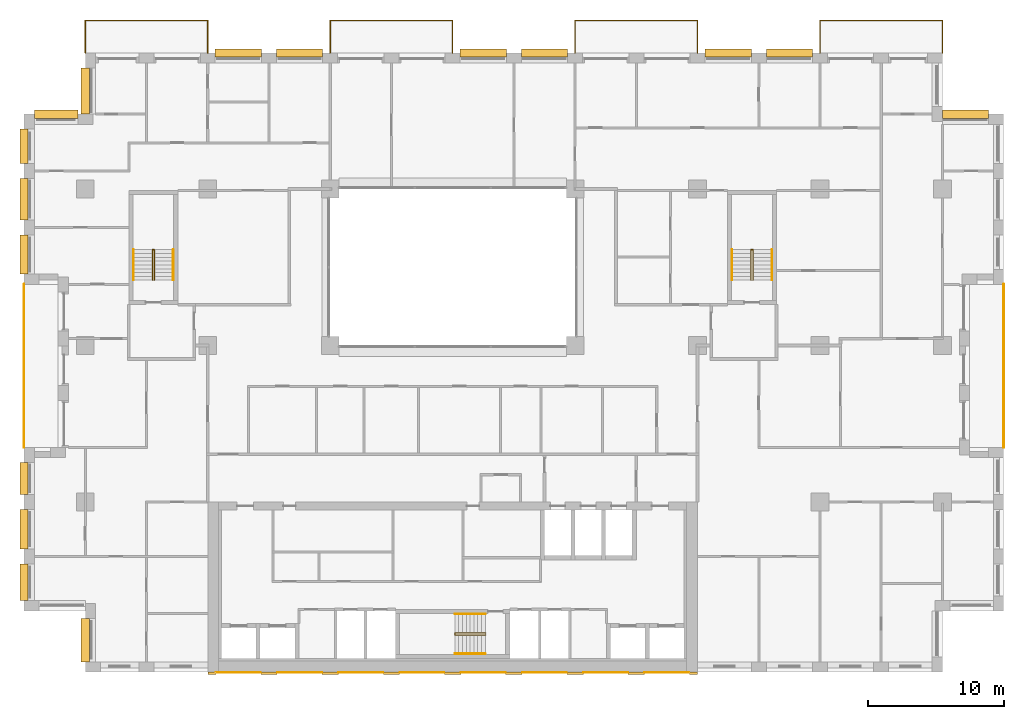
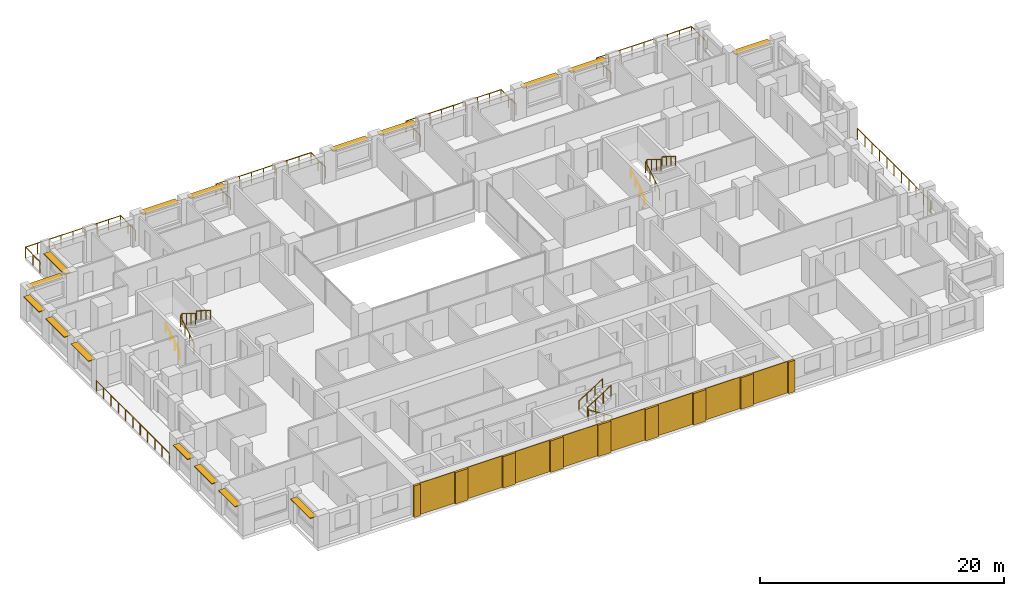
# One storey, part 16 of 16: 17 coverings, 16 shading devices, 15 railings.
"""IFC4 building model written with IfcOpenShell, lengths in metres."""

from ifc_helpers import new_model, si_unit, direction, frame, origin, origin_2d, place, context, subcontext, project, spatial, rectangle, circle, extrude, material, layer, layer_set, type_object, element, save


model = new_model("IFC4")

# Units and contexts
model_context = context("Model", 3, precision=1e-05, world=origin(), true_north=direction((0.0, 1.0)))
body_context = subcontext(model_context, "Body", "Model", "MODEL_VIEW")
ifc_project = project(units=[si_unit("LENGTHUNIT", "METRE"), si_unit("AREAUNIT", "SQUARE_METRE"), si_unit("VOLUMEUNIT", "CUBIC_METRE"), si_unit("PLANEANGLEUNIT", "RADIAN"), si_unit("MASSUNIT", "GRAM", prefix="KILO")], contexts=[model_context])

# Site, building, storey
site_placement = place(None, origin())
site = spatial("IfcSite", under=ifc_project, at=site_placement, CompositionType="ELEMENT")
building_placement = place(site_placement, origin())
building = spatial("IfcBuilding", under=site, at=building_placement, Name="Brigalow Station Residences", CompositionType="ELEMENT")
storey_placement = place(building_placement, frame((0.0, 0.0, 93.0)))
storey = spatial("IfcBuildingStorey", under=building, at=storey_placement, Name="L26", CompositionType="ELEMENT", Elevation=93.0)

# Railings
ifc_material_1 = material(Name="Stainless steel balustrade with laminated glass infill", Category="steel")
railing_type_1 = type_object("IfcRailingType", Name="BALCONY GUARD 1100", PredefinedType="GUARDRAIL", material=ifc_material_1)
railing_1_placement = place(storey_placement, frame((76.5, 16.5, -0.0400390625)))
element("IfcRailing", 1, at=railing_1_placement, inside=storey, type_object=railing_type_1, Name="L26/balcony-guard/1", PredefinedType="GUARDRAIL", context=body_context, shape_type="SweptSolid", body=[
    extrude(circle(Radius=0.02392578125, at=origin_2d()), frame((0.0, 0.0, 1.076171875), z_axis=(0.0, 1.0, 0.0), x_axis=(-1.0, 0.0, 0.0)), (0.0, 0.0, 1.0), 12.0),
    extrude(circle(Radius=0.02099609375, at=origin_2d()), origin(), (0.0, 0.0, 1.0), 1.052001953125),
    extrude(circle(Radius=0.02099609375, at=origin_2d()), frame((0.0, 1.199951171875, 0.0)), (0.0, 0.0, 1.0), 1.052001953125),
    extrude(circle(Radius=0.02099609375, at=origin_2d()), frame((0.0, 2.39990234375, 0.0)), (0.0, 0.0, 1.0), 1.052001953125),
    extrude(circle(Radius=0.02099609375, at=origin_2d()), frame((0.0, 3.60009765625, 0.0)), (0.0, 0.0, 1.0), 1.052001953125),
    extrude(circle(Radius=0.02099609375, at=origin_2d()), frame((0.0, 4.800048828125, 0.0)), (0.0, 0.0, 1.0), 1.052001953125),
    extrude(circle(Radius=0.02099609375, at=origin_2d()), frame((0.0, 6.0, 0.0)), (0.0, 0.0, 1.0), 1.052001953125),
    extrude(circle(Radius=0.02099609375, at=origin_2d()), frame((0.0, 7.199951171875, 0.0)), (0.0, 0.0, 1.0), 1.052001953125),
    extrude(circle(Radius=0.02099609375, at=origin_2d()), frame((0.0, 8.39990234375, 0.0)), (0.0, 0.0, 1.0), 1.052001953125),
    extrude(circle(Radius=0.02099609375, at=origin_2d()), frame((0.0, 9.60009765625, 0.0)), (0.0, 0.0, 1.0), 1.052001953125),
    extrude(circle(Radius=0.02099609375, at=origin_2d()), frame((0.0, 10.800048828125, 0.0)), (0.0, 0.0, 1.0), 1.052001953125),
    extrude(circle(Radius=0.02099609375, at=origin_2d()), frame((0.0, 12.0, 0.0)), (0.0, 0.0, 1.0), 1.052001953125),
])
railing_2_placement = place(storey_placement, frame((72.0, 45.5, -0.0400390625)))
element("IfcRailing", 2, at=railing_2_placement, inside=storey, type_object=railing_type_1, Name="L26/balcony-guard/2", PredefinedType="GUARDRAIL", context=body_context, shape_type="SweptSolid", body=[
    extrude(circle(Radius=0.02392578125, at=origin_2d()), frame((0.0, 0.0, 1.076171875), z_axis=(0.0, 1.0, 0.0), x_axis=(-1.0, 0.0, 0.0)), (0.0, 0.0, 1.0), 2.39990234375),
    extrude(circle(Radius=0.02392578125, at=origin_2d()), frame((0.0, 2.39990234375, 1.076171875), z_axis=(-1.0, 0.0, 0.0), x_axis=(0.0, -1.0, 0.0)), (0.0, 0.0, 1.0), 9.0),
    extrude(circle(Radius=0.02392578125, at=origin_2d()), frame((-9.0, 2.39990234375, 1.076171875), z_axis=(0.0, -1.0, 0.0), x_axis=(1.0, 0.0, 0.0)), (0.0, 0.0, 1.0), 2.39990234375),
    extrude(circle(Radius=0.02099609375, at=origin_2d()), origin(), (0.0, 0.0, 1.0), 1.052001953125),
    extrude(circle(Radius=0.02099609375, at=origin_2d()), frame((0.0, 1.199951171875, 0.0)), (0.0, 0.0, 1.0), 1.052001953125),
    extrude(circle(Radius=0.02099609375, at=origin_2d()), frame((0.0, 2.39990234375, 0.0)), (0.0, 0.0, 1.0), 1.052001953125),
    extrude(circle(Radius=0.02099609375, at=origin_2d()), frame((-1.125, 2.39990234375, 0.0)), (0.0, 0.0, 1.0), 1.052001953125),
    extrude(circle(Radius=0.02099609375, at=origin_2d()), frame((-2.25, 2.39990234375, 0.0)), (0.0, 0.0, 1.0), 1.052001953125),
    extrude(circle(Radius=0.02099609375, at=origin_2d()), frame((-3.375, 2.39990234375, 0.0)), (0.0, 0.0, 1.0), 1.052001953125),
    extrude(circle(Radius=0.02099609375, at=origin_2d()), frame((-4.5, 2.39990234375, 0.0)), (0.0, 0.0, 1.0), 1.052001953125),
    extrude(circle(Radius=0.02099609375, at=origin_2d()), frame((-5.625, 2.39990234375, 0.0)), (0.0, 0.0, 1.0), 1.052001953125),
    extrude(circle(Radius=0.02099609375, at=origin_2d()), frame((-6.75, 2.39990234375, 0.0)), (0.0, 0.0, 1.0), 1.052001953125),
    extrude(circle(Radius=0.02099609375, at=origin_2d()), frame((-7.875, 2.39990234375, 0.0)), (0.0, 0.0, 1.0), 1.052001953125),
    extrude(circle(Radius=0.02099609375, at=origin_2d()), frame((-9.0, 2.39990234375, 0.0)), (0.0, 0.0, 1.0), 1.052001953125),
    extrude(circle(Radius=0.02099609375, at=origin_2d()), frame((-9.0, 1.199951171875, 0.0)), (0.0, 0.0, 1.0), 1.052001953125),
    extrude(circle(Radius=0.02099609375, at=origin_2d()), frame((-9.0, 0.0, 0.0)), (0.0, 0.0, 1.0), 1.052001953125),
])
railing_3_placement = place(storey_placement, frame((54.0, 45.5, -0.0400390625)))
element("IfcRailing", 3, at=railing_3_placement, inside=storey, type_object=railing_type_1, Name="L26/balcony-guard/3", PredefinedType="GUARDRAIL", context=body_context, shape_type="SweptSolid", body=[
    extrude(circle(Radius=0.02392578125, at=origin_2d()), frame((0.0, 0.0, 1.076171875), z_axis=(0.0, 1.0, 0.0), x_axis=(-1.0, 0.0, 0.0)), (0.0, 0.0, 1.0), 2.39990234375),
    extrude(circle(Radius=0.02392578125, at=origin_2d()), frame((0.0, 2.39990234375, 1.076171875), z_axis=(-1.0, 0.0, 0.0), x_axis=(0.0, -1.0, 0.0)), (0.0, 0.0, 1.0), 9.0),
    extrude(circle(Radius=0.02392578125, at=origin_2d()), frame((-9.0, 2.39990234375, 1.076171875), z_axis=(0.0, -1.0, 0.0), x_axis=(1.0, 0.0, 0.0)), (0.0, 0.0, 1.0), 2.39990234375),
    extrude(circle(Radius=0.02099609375, at=origin_2d()), origin(), (0.0, 0.0, 1.0), 1.052001953125),
    extrude(circle(Radius=0.02099609375, at=origin_2d()), frame((0.0, 1.199951171875, 0.0)), (0.0, 0.0, 1.0), 1.052001953125),
    extrude(circle(Radius=0.02099609375, at=origin_2d()), frame((0.0, 2.39990234375, 0.0)), (0.0, 0.0, 1.0), 1.052001953125),
    extrude(circle(Radius=0.02099609375, at=origin_2d()), frame((-1.125, 2.39990234375, 0.0)), (0.0, 0.0, 1.0), 1.052001953125),
    extrude(circle(Radius=0.02099609375, at=origin_2d()), frame((-2.25, 2.39990234375, 0.0)), (0.0, 0.0, 1.0), 1.052001953125),
    extrude(circle(Radius=0.02099609375, at=origin_2d()), frame((-3.375, 2.39990234375, 0.0)), (0.0, 0.0, 1.0), 1.052001953125),
    extrude(circle(Radius=0.02099609375, at=origin_2d()), frame((-4.5, 2.39990234375, 0.0)), (0.0, 0.0, 1.0), 1.052001953125),
    extrude(circle(Radius=0.02099609375, at=origin_2d()), frame((-5.625, 2.39990234375, 0.0)), (0.0, 0.0, 1.0), 1.052001953125),
    extrude(circle(Radius=0.02099609375, at=origin_2d()), frame((-6.75, 2.39990234375, 0.0)), (0.0, 0.0, 1.0), 1.052001953125),
    extrude(circle(Radius=0.02099609375, at=origin_2d()), frame((-7.875, 2.39990234375, 0.0)), (0.0, 0.0, 1.0), 1.052001953125),
    extrude(circle(Radius=0.02099609375, at=origin_2d()), frame((-9.0, 2.39990234375, 0.0)), (0.0, 0.0, 1.0), 1.052001953125),
    extrude(circle(Radius=0.02099609375, at=origin_2d()), frame((-9.0, 1.199951171875, 0.0)), (0.0, 0.0, 1.0), 1.052001953125),
    extrude(circle(Radius=0.02099609375, at=origin_2d()), frame((-9.0, 0.0, 0.0)), (0.0, 0.0, 1.0), 1.052001953125),
])
railing_4_placement = place(storey_placement, frame((36.0, 45.5, -0.0400390625)))
element("IfcRailing", 4, at=railing_4_placement, inside=storey, type_object=railing_type_1, Name="L26/balcony-guard/4", PredefinedType="GUARDRAIL", context=body_context, shape_type="SweptSolid", body=[
    extrude(circle(Radius=0.02392578125, at=origin_2d()), frame((0.0, 0.0, 1.076171875), z_axis=(0.0, 1.0, 0.0), x_axis=(-1.0, 0.0, 0.0)), (0.0, 0.0, 1.0), 2.39990234375),
    extrude(circle(Radius=0.02392578125, at=origin_2d()), frame((0.0, 2.39990234375, 1.076171875), z_axis=(-1.0, 0.0, 0.0), x_axis=(0.0, -1.0, 0.0)), (0.0, 0.0, 1.0), 9.0),
    extrude(circle(Radius=0.02392578125, at=origin_2d()), frame((-9.0, 2.39990234375, 1.076171875), z_axis=(0.0, -1.0, 0.0), x_axis=(1.0, 0.0, 0.0)), (0.0, 0.0, 1.0), 2.39990234375),
    extrude(circle(Radius=0.02099609375, at=origin_2d()), origin(), (0.0, 0.0, 1.0), 1.052001953125),
    extrude(circle(Radius=0.02099609375, at=origin_2d()), frame((0.0, 1.199951171875, 0.0)), (0.0, 0.0, 1.0), 1.052001953125),
    extrude(circle(Radius=0.02099609375, at=origin_2d()), frame((0.0, 2.39990234375, 0.0)), (0.0, 0.0, 1.0), 1.052001953125),
    extrude(circle(Radius=0.02099609375, at=origin_2d()), frame((-1.125, 2.39990234375, 0.0)), (0.0, 0.0, 1.0), 1.052001953125),
    extrude(circle(Radius=0.02099609375, at=origin_2d()), frame((-2.25, 2.39990234375, 0.0)), (0.0, 0.0, 1.0), 1.052001953125),
    extrude(circle(Radius=0.02099609375, at=origin_2d()), frame((-3.375, 2.39990234375, 0.0)), (0.0, 0.0, 1.0), 1.052001953125),
    extrude(circle(Radius=0.02099609375, at=origin_2d()), frame((-4.5, 2.39990234375, 0.0)), (0.0, 0.0, 1.0), 1.052001953125),
    extrude(circle(Radius=0.02099609375, at=origin_2d()), frame((-5.625, 2.39990234375, 0.0)), (0.0, 0.0, 1.0), 1.052001953125),
    extrude(circle(Radius=0.02099609375, at=origin_2d()), frame((-6.75, 2.39990234375, 0.0)), (0.0, 0.0, 1.0), 1.052001953125),
    extrude(circle(Radius=0.02099609375, at=origin_2d()), frame((-7.875, 2.39990234375, 0.0)), (0.0, 0.0, 1.0), 1.052001953125),
    extrude(circle(Radius=0.02099609375, at=origin_2d()), frame((-9.0, 2.39990234375, 0.0)), (0.0, 0.0, 1.0), 1.052001953125),
    extrude(circle(Radius=0.02099609375, at=origin_2d()), frame((-9.0, 1.199951171875, 0.0)), (0.0, 0.0, 1.0), 1.052001953125),
    extrude(circle(Radius=0.02099609375, at=origin_2d()), frame((-9.0, 0.0, 0.0)), (0.0, 0.0, 1.0), 1.052001953125),
])
railing_5_placement = place(storey_placement, frame((18.0, 45.5, -0.0400390625)))
element("IfcRailing", 5, at=railing_5_placement, inside=storey, type_object=railing_type_1, Name="L26/balcony-guard/5", PredefinedType="GUARDRAIL", context=body_context, shape_type="SweptSolid", body=[
    extrude(circle(Radius=0.02392578125, at=origin_2d()), frame((0.0, 0.0, 1.076171875), z_axis=(0.0, 1.0, 0.0), x_axis=(-1.0, 0.0, 0.0)), (0.0, 0.0, 1.0), 2.39990234375),
    extrude(circle(Radius=0.02392578125, at=origin_2d()), frame((0.0, 2.39990234375, 1.076171875), z_axis=(-1.0, 0.0, 0.0), x_axis=(0.0, -1.0, 0.0)), (0.0, 0.0, 1.0), 9.0),
    extrude(circle(Radius=0.02392578125, at=origin_2d()), frame((-9.0, 2.39990234375, 1.076171875), z_axis=(0.0, -1.0, 0.0), x_axis=(1.0, 0.0, 0.0)), (0.0, 0.0, 1.0), 2.39990234375),
    extrude(circle(Radius=0.02099609375, at=origin_2d()), origin(), (0.0, 0.0, 1.0), 1.052001953125),
    extrude(circle(Radius=0.02099609375, at=origin_2d()), frame((0.0, 1.199951171875, 0.0)), (0.0, 0.0, 1.0), 1.052001953125),
    extrude(circle(Radius=0.02099609375, at=origin_2d()), frame((0.0, 2.39990234375, 0.0)), (0.0, 0.0, 1.0), 1.052001953125),
    extrude(circle(Radius=0.02099609375, at=origin_2d()), frame((-1.125, 2.39990234375, 0.0)), (0.0, 0.0, 1.0), 1.052001953125),
    extrude(circle(Radius=0.02099609375, at=origin_2d()), frame((-2.25, 2.39990234375, 0.0)), (0.0, 0.0, 1.0), 1.052001953125),
    extrude(circle(Radius=0.02099609375, at=origin_2d()), frame((-3.375, 2.39990234375, 0.0)), (0.0, 0.0, 1.0), 1.052001953125),
    extrude(circle(Radius=0.02099609375, at=origin_2d()), frame((-4.5, 2.39990234375, 0.0)), (0.0, 0.0, 1.0), 1.052001953125),
    extrude(circle(Radius=0.02099609375, at=origin_2d()), frame((-5.625, 2.39990234375, 0.0)), (0.0, 0.0, 1.0), 1.052001953125),
    extrude(circle(Radius=0.02099609375, at=origin_2d()), frame((-6.75, 2.39990234375, 0.0)), (0.0, 0.0, 1.0), 1.052001953125),
    extrude(circle(Radius=0.02099609375, at=origin_2d()), frame((-7.875, 2.39990234375, 0.0)), (0.0, 0.0, 1.0), 1.052001953125),
    extrude(circle(Radius=0.02099609375, at=origin_2d()), frame((-9.0, 2.39990234375, 0.0)), (0.0, 0.0, 1.0), 1.052001953125),
    extrude(circle(Radius=0.02099609375, at=origin_2d()), frame((-9.0, 1.199951171875, 0.0)), (0.0, 0.0, 1.0), 1.052001953125),
    extrude(circle(Radius=0.02099609375, at=origin_2d()), frame((-9.0, 0.0, 0.0)), (0.0, 0.0, 1.0), 1.052001953125),
])
railing_6_placement = place(storey_placement, frame((4.5, 28.5, -0.0400390625)))
element("IfcRailing", 6, at=railing_6_placement, inside=storey, type_object=railing_type_1, Name="L26/balcony-guard/6", PredefinedType="GUARDRAIL", context=body_context, shape_type="SweptSolid", body=[
    extrude(circle(Radius=0.02392578125, at=origin_2d()), frame((0.0, 0.0, 1.076171875), z_axis=(0.0, -1.0, 0.0), x_axis=(1.0, 0.0, 0.0)), (0.0, 0.0, 1.0), 12.0),
    extrude(circle(Radius=0.02099609375, at=origin_2d()), origin(), (0.0, 0.0, 1.0), 1.052001953125),
    extrude(circle(Radius=0.02099609375, at=origin_2d()), frame((0.0, -1.199951171875, 0.0)), (0.0, 0.0, 1.0), 1.052001953125),
    extrude(circle(Radius=0.02099609375, at=origin_2d()), frame((0.0, -2.39990234375, 0.0)), (0.0, 0.0, 1.0), 1.052001953125),
    extrude(circle(Radius=0.02099609375, at=origin_2d()), frame((0.0, -3.60009765625, 0.0)), (0.0, 0.0, 1.0), 1.052001953125),
    extrude(circle(Radius=0.02099609375, at=origin_2d()), frame((0.0, -4.800048828125, 0.0)), (0.0, 0.0, 1.0), 1.052001953125),
    extrude(circle(Radius=0.02099609375, at=origin_2d()), frame((0.0, -6.0, 0.0)), (0.0, 0.0, 1.0), 1.052001953125),
    extrude(circle(Radius=0.02099609375, at=origin_2d()), frame((0.0, -7.199951171875, 0.0)), (0.0, 0.0, 1.0), 1.052001953125),
    extrude(circle(Radius=0.02099609375, at=origin_2d()), frame((0.0, -8.39990234375, 0.0)), (0.0, 0.0, 1.0), 1.052001953125),
    extrude(circle(Radius=0.02099609375, at=origin_2d()), frame((0.0, -9.60009765625, 0.0)), (0.0, 0.0, 1.0), 1.052001953125),
    extrude(circle(Radius=0.02099609375, at=origin_2d()), frame((0.0, -10.800048828125, 0.0)), (0.0, 0.0, 1.0), 1.052001953125),
    extrude(circle(Radius=0.02099609375, at=origin_2d()), frame((0.0, -12.0, 0.0)), (0.0, 0.0, 1.0), 1.052001953125),
])

# Coverings
ifc_material_2 = material(Name="Clay brick masonry", Category="masonry")
ifc_layer_1 = layer(ifc_material_2, 0.06005859375)
ifc_layer_set_1 = layer_set([ifc_layer_1], Name="BRICK PANEL FACING 60")
covering_type_1 = type_object("IfcCoveringType", Name="BRICK PANEL FACING 60", PredefinedType="CLADDING", material=ifc_layer_set_1)
for number, where, z_axis, x_axis, name in (
    (7, (20.25, -0.030029296875, 0.0), (0.0, 0.0, 1.0), (1.0, 0.0, 0.0), "L26/rear-facing/panel-1"),
    (8, (24.75, -0.030029296875, 0.0), (0.0, 0.0, 1.0), (1.0, 0.0, 0.0), "L26/rear-facing/panel-2"),
    (9, (29.25, -0.030029296875, 0.0), (0.0, 0.0, 1.0), (1.0, 0.0, 0.0), "L26/rear-facing/panel-3"),
    (10, (33.75, -0.030029296875, 0.0), (0.0, 0.0, 1.0), (1.0, 0.0, 0.0), "L26/rear-facing/panel-4"),
    (11, (38.25, -0.030029296875, 0.0), (0.0, 0.0, 1.0), (1.0, 0.0, 0.0), "L26/rear-facing/panel-5"),
    (12, (42.75, -0.030029296875, 0.0), (0.0, 0.0, 1.0), (1.0, 0.0, 0.0), "L26/rear-facing/panel-6"),
    (13, (47.25, -0.030029296875, 0.0), (0.0, 0.0, 1.0), (1.0, 0.0, 0.0), "L26/rear-facing/panel-7"),
    (14, (51.75, -0.030029296875, 0.0), (0.0, 0.0, 1.0), (1.0, 0.0, 0.0), "L26/rear-facing/panel-8"),
):
    element("IfcCovering", number, at=place(storey_placement, frame(where, z_axis=z_axis, x_axis=x_axis)), inside=storey, type_object=covering_type_1, Name=name, PredefinedType="CLADDING", context=body_context, shape_type="SweptSolid", body=[
        extrude(rectangle(XDim=3.300048828125, YDim=0.06005859375, at=origin_2d()), origin(), (0.0, 0.0, 1.0), 3.14990234375),
    ])
ifc_material_3 = material(Name="Clay brick masonry", Category="masonry")
ifc_layer_2 = layer(ifc_material_3, 0.199951171875)
ifc_layer_set_2 = layer_set([ifc_layer_2], Name="BRICK PIER FACING 200")
covering_type_2 = type_object("IfcCoveringType", Name="BRICK PIER FACING 200", PredefinedType="CLADDING", material=ifc_layer_set_2)
covering_1_placement = place(storey_placement, frame((18.300048828125, -0.10009765625, 0.0), z_axis=(0.0, 0.0, 1.0), x_axis=(1.0, 0.0, 0.0)))
element("IfcCovering", 15, at=covering_1_placement, inside=storey, type_object=covering_type_2, Name="L26/rear-facing/pier-1", PredefinedType="CLADDING", context=body_context, shape_type="SweptSolid", body=[
    extrude(rectangle(XDim=0.60009765625, YDim=0.199951171875, at=origin_2d()), origin(), (0.0, 0.0, 1.0), 3.14990234375),
])
for number, where, z_axis, x_axis, name in (
    (16, (22.5, -0.10009765625, 0.0), (0.0, 0.0, 1.0), (1.0, 0.0, 0.0), "L26/rear-facing/pier-2"),
    (17, (27.0, -0.10009765625, 0.0), (0.0, 0.0, 1.0), (1.0, 0.0, 0.0), "L26/rear-facing/pier-3"),
    (18, (31.5, -0.10009765625, 0.0), (0.0, 0.0, 1.0), (1.0, 0.0, 0.0), "L26/rear-facing/pier-4"),
    (19, (36.0, -0.10009765625, 0.0), (0.0, 0.0, 1.0), (1.0, 0.0, 0.0), "L26/rear-facing/pier-5"),
    (20, (40.5, -0.10009765625, 0.0), (0.0, 0.0, 1.0), (1.0, 0.0, 0.0), "L26/rear-facing/pier-6"),
    (21, (45.0, -0.10009765625, 0.0), (0.0, 0.0, 1.0), (1.0, 0.0, 0.0), "L26/rear-facing/pier-7"),
    (22, (49.5, -0.10009765625, 0.0), (0.0, 0.0, 1.0), (1.0, 0.0, 0.0), "L26/rear-facing/pier-8"),
):
    element("IfcCovering", number, at=place(storey_placement, frame(where, z_axis=z_axis, x_axis=x_axis)), inside=storey, type_object=covering_type_2, Name=name, PredefinedType="CLADDING", context=body_context, shape_type="SweptSolid", body=[
        extrude(rectangle(XDim=1.199951171875, YDim=0.199951171875, at=origin_2d()), origin(), (0.0, 0.0, 1.0), 3.14990234375),
    ])
covering_2_placement = place(storey_placement, frame((53.699951171875, -0.10009765625, 0.0), z_axis=(0.0, 0.0, 1.0), x_axis=(1.0, 0.0, 0.0)))
element("IfcCovering", 23, at=covering_2_placement, inside=storey, type_object=covering_type_2, Name="L26/rear-facing/pier-9", PredefinedType="CLADDING", context=body_context, shape_type="SweptSolid", body=[
    extrude(rectangle(XDim=0.60009765625, YDim=0.199951171875, at=origin_2d()), origin(), (0.0, 0.0, 1.0), 3.14990234375),
])

# Railings
ifc_material_4 = material(Name="Stainless steel balustrade", Category="steel")
railing_type_2 = type_object("IfcRailingType", Name="STAIR GUARD 1100", PredefinedType="GUARDRAIL", material=ifc_material_4)
railing_7_placement = place(storey_placement, frame((38.39990234375, 2.72998046875, 0.175048828125)))
element("IfcRailing", 24, at=railing_7_placement, inside=storey, type_object=railing_type_2, Name="GUARD GR-2", PredefinedType="GUARDRAIL", context=body_context, shape_type="SweptSolid", body=[
    extrude(circle(Radius=0.02392578125, at=origin_2d()), frame((0.0, 0.0, 1.076171875), z_axis=(-0.848013881152, 0.0, 0.529974015752), x_axis=(0.0, -1.0, 0.0)), (0.0, 0.0, 1.0), 2.641357421875),
    extrude(circle(Radius=0.02392578125, at=origin_2d()), frame((-2.239990234375, 0.0, 2.47607421875), z_axis=(0.0, 0.624960567888, 0.780656319122), x_axis=(-1.0, 0.0, 0.0)), (0.0, 0.0, 1.0), 0.22412109375),
    extrude(circle(Radius=0.02392578125, at=origin_2d()), frame((-2.239990234375, 0.14013671875, 2.65087890625), z_axis=(0.848013881152, 0.0, 0.529974015752), x_axis=(0.0, 1.0, 0.0)), (0.0, 0.0, 1.0), 2.641357421875),
    extrude(circle(Radius=0.02099609375, at=origin_2d()), origin(), (0.0, 0.0, 1.0), 1.052001953125),
    extrude(circle(Radius=0.02099609375, at=origin_2d()), frame((-0.74658203125, 0.0, 0.466552734375)), (0.0, 0.0, 1.0), 1.052001953125),
    extrude(circle(Radius=0.02099609375, at=origin_2d()), frame((-1.493408203125, 0.0, 0.933349609375)), (0.0, 0.0, 1.0), 1.052001953125),
    extrude(circle(Radius=0.02099609375, at=origin_2d()), frame((-2.239990234375, 0.0, 1.39990234375)), (0.0, 0.0, 1.0), 1.052001953125),
    extrude(circle(Radius=0.02099609375, at=origin_2d()), frame((-2.239990234375, 0.14013671875, 1.574951171875)), (0.0, 0.0, 1.0), 1.052001953125),
    extrude(circle(Radius=0.02099609375, at=origin_2d()), frame((-1.493408203125, 0.14013671875, 2.04150390625)), (0.0, 0.0, 1.0), 1.052001953125),
    extrude(circle(Radius=0.02099609375, at=origin_2d()), frame((-0.74658203125, 0.14013671875, 2.50830078125)), (0.0, 0.0, 1.0), 1.052001953125),
    extrude(circle(Radius=0.02099609375, at=origin_2d()), frame((0.0, 0.14013671875, 2.974853515625)), (0.0, 0.0, 1.0), 1.052001953125),
])
for number, where, name in (
    (25, (13.929931640625, 28.800048828125, 0.175048828125), "GUARD GR-1"),
    (26, (57.929931640625, 28.800048828125, 0.175048828125), "GUARD GR-3"),
):
    element("IfcRailing", number, at=place(storey_placement, frame(where)), inside=storey, type_object=railing_type_2, Name=name, PredefinedType="GUARDRAIL", context=body_context, shape_type="SweptSolid", body=[
        extrude(circle(Radius=0.02392578125, at=origin_2d()), frame((0.0, 0.0, 1.076171875), z_axis=(0.0, 0.848013881152, 0.529974015752), x_axis=(-1.0, 0.0, 0.0)), (0.0, 0.0, 1.0), 2.641357421875),
        extrude(circle(Radius=0.02392578125, at=origin_2d()), frame((0.0, 2.239990234375, 2.47607421875), z_axis=(0.624960567888, 0.0, 0.780656319122), x_axis=(0.0, 1.0, 0.0)), (0.0, 0.0, 1.0), 0.22412109375),
        extrude(circle(Radius=0.02392578125, at=origin_2d()), frame((0.14013671875, 2.239990234375, 2.65087890625), z_axis=(0.0, -0.848013881152, 0.529974015752), x_axis=(1.0, 0.0, 0.0)), (0.0, 0.0, 1.0), 2.641357421875),
        extrude(circle(Radius=0.02099609375, at=origin_2d()), origin(), (0.0, 0.0, 1.0), 1.052001953125),
        extrude(circle(Radius=0.02099609375, at=origin_2d()), frame((0.0, 0.74658203125, 0.466552734375)), (0.0, 0.0, 1.0), 1.052001953125),
        extrude(circle(Radius=0.02099609375, at=origin_2d()), frame((0.0, 1.493408203125, 0.933349609375)), (0.0, 0.0, 1.0), 1.052001953125),
        extrude(circle(Radius=0.02099609375, at=origin_2d()), frame((0.0, 2.239990234375, 1.39990234375)), (0.0, 0.0, 1.0), 1.052001953125),
        extrude(circle(Radius=0.02099609375, at=origin_2d()), frame((0.14013671875, 2.239990234375, 1.574951171875)), (0.0, 0.0, 1.0), 1.052001953125),
        extrude(circle(Radius=0.02099609375, at=origin_2d()), frame((0.14013671875, 1.493408203125, 2.04150390625)), (0.0, 0.0, 1.0), 1.052001953125),
        extrude(circle(Radius=0.02099609375, at=origin_2d()), frame((0.14013671875, 0.74658203125, 2.50830078125)), (0.0, 0.0, 1.0), 1.052001953125),
        extrude(circle(Radius=0.02099609375, at=origin_2d()), frame((0.14013671875, 0.0, 2.974853515625)), (0.0, 0.0, 1.0), 1.052001953125),
    ])
ifc_material_5 = material(Name="Stainless steel handrail", Category="steel")
railing_type_3 = type_object("IfcRailingType", Name="STAIR HANDRAIL 900", PredefinedType="HANDRAIL", material=ifc_material_5)
railing_8_placement = place(storey_placement, frame((38.39990234375, 1.340087890625, 0.175048828125)))
element("IfcRailing", 27, at=railing_8_placement, inside=storey, type_object=railing_type_3, Name="HANDRAIL HR-21", PredefinedType="HANDRAIL", context=body_context, shape_type="SweptSolid", body=[
    extrude(circle(Radius=0.02392578125, at=origin_2d()), frame((0.0, 0.0, 0.8759765625), z_axis=(-0.848013881152, 0.0, 0.529974015752), x_axis=(0.0, -1.0, 0.0)), (0.0, 0.0, 1.0), 2.641357421875),
    extrude(circle(Radius=0.02099609375, at=origin_2d()), origin(), (0.0, 0.0, 1.0), 0.851806640625),
    extrude(circle(Radius=0.02099609375, at=origin_2d()), frame((-0.74658203125, 0.0, 0.466552734375)), (0.0, 0.0, 1.0), 0.851806640625),
    extrude(circle(Radius=0.02099609375, at=origin_2d()), frame((-1.493408203125, 0.0, 0.933349609375)), (0.0, 0.0, 1.0), 0.851806640625),
    extrude(circle(Radius=0.02099609375, at=origin_2d()), frame((-2.239990234375, 0.0, 1.39990234375)), (0.0, 0.0, 1.0), 0.851806640625),
])
railing_9_placement = place(storey_placement, frame((36.159912109375, 4.260009765625, 1.75)))
element("IfcRailing", 28, at=railing_9_placement, inside=storey, type_object=railing_type_3, Name="HANDRAIL HR-22", PredefinedType="HANDRAIL", context=body_context, shape_type="SweptSolid", body=[
    extrude(circle(Radius=0.02392578125, at=origin_2d()), frame((0.0, 0.0, 0.8759765625), z_axis=(0.848013881152, 0.0, 0.529974015752), x_axis=(0.0, 1.0, 0.0)), (0.0, 0.0, 1.0), 2.641357421875),
    extrude(circle(Radius=0.02099609375, at=origin_2d()), origin(), (0.0, 0.0, 1.0), 0.851806640625),
    extrude(circle(Radius=0.02099609375, at=origin_2d()), frame((0.74658203125, 0.0, 0.466552734375)), (0.0, 0.0, 1.0), 0.851806640625),
    extrude(circle(Radius=0.02099609375, at=origin_2d()), frame((1.493408203125, 0.0, 0.933349609375)), (0.0, 0.0, 1.0), 0.851806640625),
    extrude(circle(Radius=0.02099609375, at=origin_2d()), frame((2.239990234375, 0.0, 1.39990234375)), (0.0, 0.0, 1.0), 0.851806640625),
])
railing_10_placement = place(storey_placement, frame((12.5400390625, 28.800048828125, 0.175048828125)))
element("IfcRailing", 29, at=railing_10_placement, inside=storey, type_object=railing_type_3, Name="HANDRAIL HR-11", PredefinedType="HANDRAIL", context=body_context, shape_type="SweptSolid", body=[
    extrude(circle(Radius=0.02392578125, at=origin_2d()), frame((0.0, 0.0, 0.8759765625), z_axis=(0.0, 0.848013881152, 0.529974015752), x_axis=(-1.0, 0.0, 0.0)), (0.0, 0.0, 1.0), 2.641357421875),
    extrude(circle(Radius=0.02099609375, at=origin_2d()), origin(), (0.0, 0.0, 1.0), 0.851806640625),
    extrude(circle(Radius=0.02099609375, at=origin_2d()), frame((0.0, 0.74658203125, 0.466552734375)), (0.0, 0.0, 1.0), 0.851806640625),
    extrude(circle(Radius=0.02099609375, at=origin_2d()), frame((0.0, 1.493408203125, 0.933349609375)), (0.0, 0.0, 1.0), 0.851806640625),
    extrude(circle(Radius=0.02099609375, at=origin_2d()), frame((0.0, 2.239990234375, 1.39990234375)), (0.0, 0.0, 1.0), 0.851806640625),
])
railing_11_placement = place(storey_placement, frame((15.4599609375, 31.0400390625, 1.75)))
element("IfcRailing", 30, at=railing_11_placement, inside=storey, type_object=railing_type_3, Name="HANDRAIL HR-12", PredefinedType="HANDRAIL", context=body_context, shape_type="SweptSolid", body=[
    extrude(circle(Radius=0.02392578125, at=origin_2d()), frame((0.0, 0.0, 0.8759765625), z_axis=(0.0, -0.848013881152, 0.529974015752), x_axis=(1.0, 0.0, 0.0)), (0.0, 0.0, 1.0), 2.641357421875),
    extrude(circle(Radius=0.02099609375, at=origin_2d()), origin(), (0.0, 0.0, 1.0), 0.851806640625),
    extrude(circle(Radius=0.02099609375, at=origin_2d()), frame((0.0, -0.74658203125, 0.466552734375)), (0.0, 0.0, 1.0), 0.851806640625),
    extrude(circle(Radius=0.02099609375, at=origin_2d()), frame((0.0, -1.493408203125, 0.933349609375)), (0.0, 0.0, 1.0), 0.851806640625),
    extrude(circle(Radius=0.02099609375, at=origin_2d()), frame((0.0, -2.239990234375, 1.39990234375)), (0.0, 0.0, 1.0), 0.851806640625),
])
railing_12_placement = place(storey_placement, frame((56.5400390625, 28.800048828125, 0.175048828125)))
element("IfcRailing", 31, at=railing_12_placement, inside=storey, type_object=railing_type_3, Name="HANDRAIL HR-31", PredefinedType="HANDRAIL", context=body_context, shape_type="SweptSolid", body=[
    extrude(circle(Radius=0.02392578125, at=origin_2d()), frame((0.0, 0.0, 0.8759765625), z_axis=(0.0, 0.848013881152, 0.529974015752), x_axis=(-1.0, 0.0, 0.0)), (0.0, 0.0, 1.0), 2.641357421875),
    extrude(circle(Radius=0.02099609375, at=origin_2d()), origin(), (0.0, 0.0, 1.0), 0.851806640625),
    extrude(circle(Radius=0.02099609375, at=origin_2d()), frame((0.0, 0.74658203125, 0.466552734375)), (0.0, 0.0, 1.0), 0.851806640625),
    extrude(circle(Radius=0.02099609375, at=origin_2d()), frame((0.0, 1.493408203125, 0.933349609375)), (0.0, 0.0, 1.0), 0.851806640625),
    extrude(circle(Radius=0.02099609375, at=origin_2d()), frame((0.0, 2.239990234375, 1.39990234375)), (0.0, 0.0, 1.0), 0.851806640625),
])
railing_13_placement = place(storey_placement, frame((59.4599609375, 31.0400390625, 1.75)))
element("IfcRailing", 32, at=railing_13_placement, inside=storey, type_object=railing_type_3, Name="HANDRAIL HR-32", PredefinedType="HANDRAIL", context=body_context, shape_type="SweptSolid", body=[
    extrude(circle(Radius=0.02392578125, at=origin_2d()), frame((0.0, 0.0, 0.8759765625), z_axis=(0.0, -0.848013881152, 0.529974015752), x_axis=(1.0, 0.0, 0.0)), (0.0, 0.0, 1.0), 2.641357421875),
    extrude(circle(Radius=0.02099609375, at=origin_2d()), origin(), (0.0, 0.0, 1.0), 0.851806640625),
    extrude(circle(Radius=0.02099609375, at=origin_2d()), frame((0.0, -0.74658203125, 0.466552734375)), (0.0, 0.0, 1.0), 0.851806640625),
    extrude(circle(Radius=0.02099609375, at=origin_2d()), frame((0.0, -1.493408203125, 0.933349609375)), (0.0, 0.0, 1.0), 0.851806640625),
    extrude(circle(Radius=0.02099609375, at=origin_2d()), frame((0.0, -2.239990234375, 1.39990234375)), (0.0, 0.0, 1.0), 0.851806640625),
])

# Shading devices
ifc_material_6 = material(Name="Powder-coated extruded aluminium blade", Category="aluminium")
ifc_layer_3 = layer(ifc_material_6, 0.080078125)
ifc_layer_set_3 = layer_set([ifc_layer_3], Name="SUNSHADE BLADE 600x80")
shading_device_type = type_object("IfcShadingDeviceType", Name="SUNSHADE BLADE 600x80", PredefinedType="JALOUSIE", material=ifc_layer_set_3)
for number, where, z_axis, x_axis, name in (
    (33, (73.699951171875, 41.0, 2.550048828125), (0.0, 0.0, 1.0), (-1.0, 0.0, 0.0), "L26/blade/W-L26-21"),
    (34, (60.75, 45.5, 2.550048828125), (0.0, 0.0, 1.0), (-1.0, 0.0, 0.0), "L26/blade/W-L26-25"),
    (35, (56.25, 45.5, 2.550048828125), (0.0, 0.0, 1.0), (-1.0, 0.0, 0.0), "L26/blade/W-L26-26"),
    (36, (42.75, 45.5, 2.550048828125), (0.0, 0.0, 1.0), (-1.0, 0.0, 0.0), "L26/blade/W-L26-29"),
    (37, (38.25, 45.5, 2.550048828125), (0.0, 0.0, 1.0), (-1.0, 0.0, 0.0), "L26/blade/W-L26-30"),
    (38, (24.75, 45.5, 2.550048828125), (0.0, 0.0, 1.0), (-1.0, 0.0, 0.0), "L26/blade/W-L26-33"),
    (39, (20.25, 45.5, 2.550048828125), (0.0, 0.0, 1.0), (-1.0, 0.0, 0.0), "L26/blade/W-L26-34"),
    (40, (9.0, 42.699951171875, 2.550048828125), (0.0, 0.0, 1.0), (0.0, -1.0, 0.0), "L26/blade/W-L26-37"),
):
    element("IfcShadingDevice", number, at=place(storey_placement, frame(where, z_axis=z_axis, x_axis=x_axis)), inside=storey, type_object=shading_device_type, Name=name, PredefinedType="JALOUSIE", context=body_context, shape_type="SweptSolid", body=[
        extrude(rectangle(XDim=3.39990234375, YDim=0.60009765625, at=origin_2d()), origin(), (0.0, 0.0, 1.0), 0.080078125),
    ])
shading_device_1_placement = place(storey_placement, frame((6.85009765625, 41.0, 2.550048828125), z_axis=(0.0, 0.0, 1.0), x_axis=(-1.0, 0.0, 0.0)))
element("IfcShadingDevice", 41, at=shading_device_1_placement, inside=storey, type_object=shading_device_type, Name="L26/blade/W-L26-38", PredefinedType="JALOUSIE", context=body_context, shape_type="SweptSolid", body=[
    extrude(rectangle(XDim=3.199951171875, YDim=0.60009765625, at=origin_2d()), origin(), (0.0, 0.0, 1.0), 0.080078125),
])
shading_device_2_placement = place(storey_placement, frame((4.5, 38.6416015625, 2.550048828125), z_axis=(0.0, 0.0, 1.0), x_axis=(0.0, -1.0, 0.0)))
element("IfcShadingDevice", 42, at=shading_device_2_placement, inside=storey, type_object=shading_device_type, Name="L26/blade/W-L26-39", PredefinedType="JALOUSIE", context=body_context, shape_type="SweptSolid", body=[
    extrude(rectangle(XDim=2.51708984375, YDim=0.60009765625, at=origin_2d()), origin(), (0.0, 0.0, 1.0), 0.080078125),
])
shading_device_3_placement = place(storey_placement, frame((4.5, 34.75, 2.550048828125), z_axis=(0.0, 0.0, 1.0), x_axis=(0.0, -1.0, 0.0)))
element("IfcShadingDevice", 43, at=shading_device_3_placement, inside=storey, type_object=shading_device_type, Name="L26/blade/W-L26-40", PredefinedType="JALOUSIE", context=body_context, shape_type="SweptSolid", body=[
    extrude(rectangle(XDim=3.06591796875, YDim=0.60009765625, at=origin_2d()), origin(), (0.0, 0.0, 1.0), 0.080078125),
])
shading_device_4_placement = place(storey_placement, frame((4.5, 30.68359375, 2.550048828125), z_axis=(0.0, 0.0, 1.0), x_axis=(0.0, -1.0, 0.0)))
element("IfcShadingDevice", 44, at=shading_device_4_placement, inside=storey, type_object=shading_device_type, Name="L26/blade/W-L26-41", PredefinedType="JALOUSIE", context=body_context, shape_type="SweptSolid", body=[
    extrude(rectangle(XDim=2.866943359375, YDim=0.60009765625, at=origin_2d()), origin(), (0.0, 0.0, 1.0), 0.080078125),
])
shading_device_5_placement = place(storey_placement, frame((4.5, 14.22509765625, 2.550048828125), z_axis=(0.0, 0.0, 1.0), x_axis=(0.0, -1.0, 0.0)))
element("IfcShadingDevice", 45, at=shading_device_5_placement, inside=storey, type_object=shading_device_type, Name="L26/blade/W-L26-47", PredefinedType="JALOUSIE", context=body_context, shape_type="SweptSolid", body=[
    extrude(rectangle(XDim=2.35009765625, YDim=0.60009765625, at=origin_2d()), origin(), (0.0, 0.0, 1.0), 0.080078125),
])
shading_device_6_placement = place(storey_placement, frame((4.5, 10.5, 2.550048828125), z_axis=(0.0, 0.0, 1.0), x_axis=(0.0, -1.0, 0.0)))
element("IfcShadingDevice", 46, at=shading_device_6_placement, inside=storey, type_object=shading_device_type, Name="L26/blade/W-L26-48", PredefinedType="JALOUSIE", context=body_context, shape_type="SweptSolid", body=[
    extrude(rectangle(XDim=2.89990234375, YDim=0.60009765625, at=origin_2d()), origin(), (0.0, 0.0, 1.0), 0.080078125),
])
shading_device_7_placement = place(storey_placement, frame((4.5, 6.60009765625, 2.550048828125), z_axis=(0.0, 0.0, 1.0), x_axis=(0.0, -1.0, 0.0)))
element("IfcShadingDevice", 47, at=shading_device_7_placement, inside=storey, type_object=shading_device_type, Name="L26/blade/W-L26-49", PredefinedType="JALOUSIE", context=body_context, shape_type="SweptSolid", body=[
    extrude(rectangle(XDim=2.699951171875, YDim=0.60009765625, at=origin_2d()), origin(), (0.0, 0.0, 1.0), 0.080078125),
])
shading_device_8_placement = place(storey_placement, frame((9.0, 2.35009765625, 2.550048828125), z_axis=(0.0, 0.0, 1.0), x_axis=(0.0, -1.0, 0.0)))
element("IfcShadingDevice", 48, at=shading_device_8_placement, inside=storey, type_object=shading_device_type, Name="L26/blade/W-L26-51", PredefinedType="JALOUSIE", context=body_context, shape_type="SweptSolid", body=[
    extrude(rectangle(XDim=3.199951171875, YDim=0.60009765625, at=origin_2d()), origin(), (0.0, 0.0, 1.0), 0.080078125),
])

save(model, "model.ifc")
